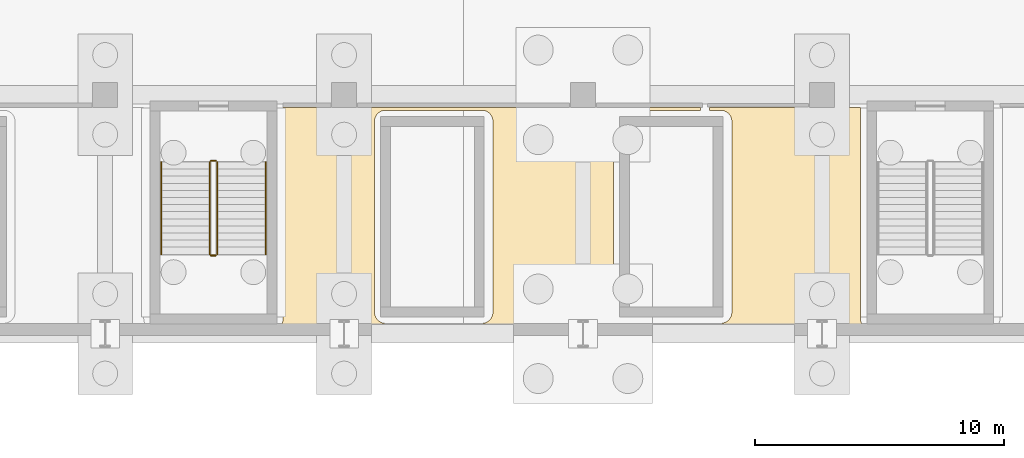
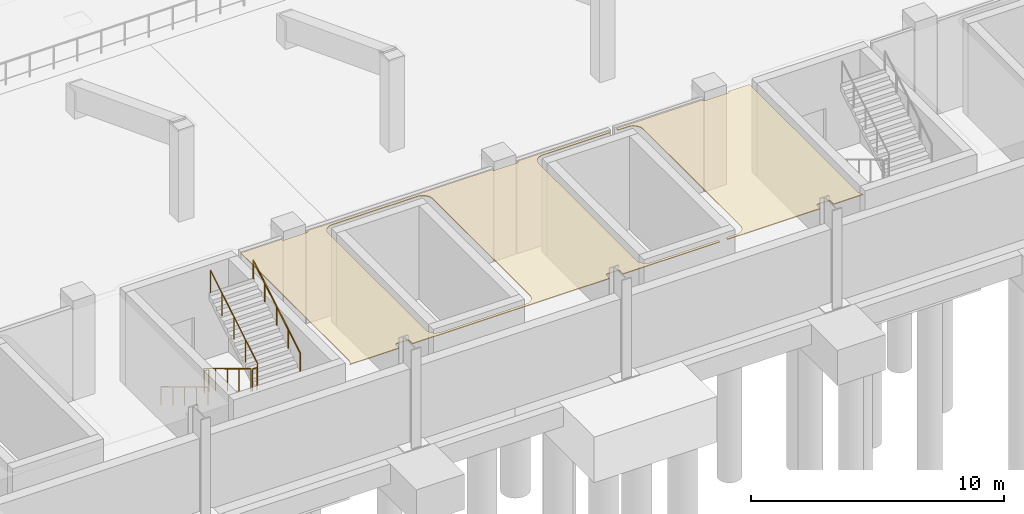
# One storey, part 44 of 67: 6 railings, 2 coverings.
"""IFC4 building model written with IfcOpenShell, lengths in metres."""

from ifc_helpers import new_model, si_unit, direction, frame, origin, origin_2d, place, context, subcontext, project, spatial, polyline, circle, outline, extrude, material, layer, layer_set, type_object, element, save


model = new_model("IFC4")

# Units and contexts
model_context = context("Model", 3, precision=1e-05, world=origin(), true_north=direction((0.0, 1.0)))
body_context = subcontext(model_context, "Body", "Model", "MODEL_VIEW")
ifc_project = project(units=[si_unit("LENGTHUNIT", "METRE"), si_unit("AREAUNIT", "SQUARE_METRE"), si_unit("VOLUMEUNIT", "CUBIC_METRE"), si_unit("PLANEANGLEUNIT", "RADIAN"), si_unit("MASSUNIT", "GRAM", prefix="KILO")], contexts=[model_context])

# Site, building, storey
site_placement = place(None, origin())
site = spatial("IfcSite", under=ifc_project, at=site_placement, CompositionType="ELEMENT")
building_placement = place(site_placement, origin())
building = spatial("IfcBuilding", under=site, at=building_placement, Name="Caelomonte Colonnade Arena", CompositionType="ELEMENT")
storey_placement = place(building_placement, frame((0.0, 0.0, -4.800048828125)))
storey = spatial("IfcBuildingStorey", under=building, at=storey_placement, Name="B1", CompositionType="ELEMENT", Elevation=-4.800048828125)

# Coverings
ifc_material_1 = material(Name="Perforated acoustic mineral-fibre ceiling")
ifc_layer = layer(ifc_material_1, 0.0400390625)
ifc_layer_set = layer_set([ifc_layer], Name="Perforated acoustic mineral-fibre ceiling")
covering_type = type_object("IfcCoveringType", Name="INT-CV-CEIL1", PredefinedType="CEILING", material=ifc_layer_set)
covering_1_placement = place(storey_placement, frame((0.0, 0.0, 4.420166015625)))
element("IfcCovering", 1, at=covering_1_placement, inside=storey, type_object=covering_type, Name="B1 Athlete Media Mix Zone acoustic ceiling", PredefinedType="CEILING", context=body_context, shape_type="SweptSolid", body=[
    extrude(outline(polyline([(105.0048828125, 28.300048828125), (103.14990234375, 28.300048828125), (103.14990234375, 19.800048828125), (103.147705078125, 19.755859375), (103.141357421875, 19.712158203125), (103.130615234375, 19.66943359375), (103.11572265625, 19.627685546875), (103.096923828125, 19.587890625), (103.07421875, 19.550048828125), (103.0478515625, 19.514404296875), (103.03466796875, 19.5), (105.29150390625, 19.5), (105.29150390625, 19.735595703125), (105.2919921875, 19.743408203125), (105.29296875, 19.751220703125), (105.294921875, 19.7587890625), (105.297607421875, 19.766357421875), (105.30078125, 19.7734375), (105.304931640625, 19.780029296875), (105.309814453125, 19.78662109375), (105.31494140625, 19.792236328125), (105.32080078125, 19.797607421875), (105.3271484375, 19.80224609375), (105.333740234375, 19.806396484375), (105.3408203125, 19.8095703125), (105.348388671875, 19.812255859375), (105.35595703125, 19.814208984375), (105.36376953125, 19.815185546875), (105.37158203125, 19.815673828125), (105.82861328125, 19.815673828125), (105.836181640625, 19.815185546875), (105.843994140625, 19.814208984375), (105.851806640625, 19.812255859375), (105.859130859375, 19.8095703125), (105.8662109375, 19.806396484375), (105.872802734375, 19.80224609375), (105.87939453125, 19.797607421875), (105.885009765625, 19.792236328125), (105.890380859375, 19.78662109375), (105.89501953125, 19.780029296875), (105.899169921875, 19.7734375), (105.90234375, 19.766357421875), (105.905029296875, 19.7587890625), (105.906982421875, 19.751220703125), (105.908203125, 19.743408203125), (105.908447265625, 19.735595703125), (105.908447265625, 19.5), (114.8916015625, 19.5), (114.8916015625, 19.735595703125), (114.891845703125, 19.743408203125), (114.89306640625, 19.751220703125), (114.89501953125, 19.7587890625), (114.897705078125, 19.766357421875), (114.90087890625, 19.7734375), (114.905029296875, 19.780029296875), (114.90966796875, 19.78662109375), (114.914794921875, 19.792236328125), (114.920654296875, 19.797607421875), (114.927001953125, 19.80224609375), (114.933837890625, 19.806396484375), (114.94091796875, 19.8095703125), (114.9482421875, 19.812255859375), (114.955810546875, 19.814208984375), (114.963623046875, 19.815185546875), (114.971435546875, 19.815673828125), (115.428466796875, 19.815673828125), (115.436279296875, 19.815185546875), (115.444091796875, 19.814208984375), (115.45166015625, 19.812255859375), (115.458984375, 19.8095703125), (115.46630859375, 19.806396484375), (115.472900390625, 19.80224609375), (115.479248046875, 19.797607421875), (115.485107421875, 19.792236328125), (115.490234375, 19.78662109375), (115.4951171875, 19.780029296875), (115.4990234375, 19.7734375), (115.50244140625, 19.766357421875), (115.505126953125, 19.7587890625), (115.507080078125, 19.751220703125), (115.508056640625, 19.743408203125), (115.508544921875, 19.735595703125), (115.508544921875, 19.5), (119.919921875, 19.5), (119.919921875, 19.6201171875), (116.8701171875, 19.6201171875), (116.825927734375, 19.622314453125), (116.7822265625, 19.628662109375), (116.739501953125, 19.639404296875), (116.69775390625, 19.654296875), (116.657958984375, 19.673095703125), (116.6201171875, 19.69580078125), (116.58447265625, 19.72216796875), (116.5517578125, 19.751708984375), (116.522216796875, 19.784423828125), (116.495849609375, 19.820068359375), (116.47314453125, 19.85791015625), (116.454345703125, 19.897705078125), (116.439453125, 19.939453125), (116.4287109375, 19.982177734375), (116.422119140625, 20.02587890625), (116.419921875, 20.070068359375), (116.419921875, 27.72998046875), (116.422119140625, 27.774169921875), (116.4287109375, 27.81787109375), (116.439453125, 27.860595703125), (116.454345703125, 27.902099609375), (116.47314453125, 27.942138671875), (116.495849609375, 27.97998046875), (116.522216796875, 28.015380859375), (116.5517578125, 28.048095703125), (116.58447265625, 28.077880859375), (116.6201171875, 28.104248046875), (116.657958984375, 28.126953125), (116.69775390625, 28.145751953125), (116.739501953125, 28.16064453125), (116.7822265625, 28.17138671875), (116.825927734375, 28.177734375), (116.8701171875, 28.179931640625), (119.919921875, 28.179931640625), (119.919921875, 28.300048828125), (115.794921875, 28.300048828125), (115.794921875, 28.284912109375), (115.794677734375, 28.277099609375), (115.79345703125, 28.269287109375), (115.79150390625, 28.26171875), (115.788818359375, 28.25439453125), (115.78564453125, 28.247314453125), (115.781494140625, 28.240478515625), (115.77685546875, 28.234130859375), (115.771484375, 28.228515625), (115.765869140625, 28.22314453125), (115.759521484375, 28.218505859375), (115.752685546875, 28.21435546875), (115.74560546875, 28.211181640625), (115.73828125, 28.20849609375), (115.730712890625, 28.20654296875), (115.722900390625, 28.205322265625), (115.715087890625, 28.205078125), (114.68505859375, 28.205078125), (114.67724609375, 28.205322265625), (114.66943359375, 28.20654296875), (114.661865234375, 28.20849609375), (114.654296875, 28.211181640625), (114.647216796875, 28.21435546875), (114.640625, 28.218505859375), (114.63427734375, 28.22314453125), (114.62841796875, 28.228515625), (114.623291015625, 28.234130859375), (114.618408203125, 28.240478515625), (114.614501953125, 28.247314453125), (114.611083984375, 28.25439453125), (114.6083984375, 28.26171875), (114.6064453125, 28.269287109375), (114.60546875, 28.277099609375), (114.60498046875, 28.284912109375), (114.60498046875, 28.300048828125), (106.195068359375, 28.300048828125), (106.195068359375, 28.284912109375), (106.194580078125, 28.277099609375), (106.193603515625, 28.269287109375), (106.191650390625, 28.26171875), (106.18896484375, 28.25439453125), (106.185546875, 28.247314453125), (106.181396484375, 28.240478515625), (106.1767578125, 28.234130859375), (106.171630859375, 28.228515625), (106.165771484375, 28.22314453125), (106.159423828125, 28.218505859375), (106.152587890625, 28.21435546875), (106.1455078125, 28.211181640625), (106.13818359375, 28.20849609375), (106.130615234375, 28.20654296875), (106.122802734375, 28.205322265625), (106.114990234375, 28.205078125), (105.0849609375, 28.205078125), (105.0771484375, 28.205322265625), (105.0693359375, 28.20654296875), (105.061767578125, 28.20849609375), (105.054443359375, 28.211181640625), (105.04736328125, 28.21435546875), (105.04052734375, 28.218505859375), (105.0341796875, 28.22314453125), (105.0283203125, 28.228515625), (105.023193359375, 28.234130859375), (105.0185546875, 28.240478515625), (105.014404296875, 28.247314453125), (105.010986328125, 28.25439453125), (105.00830078125, 28.26171875), (105.006591796875, 28.269287109375), (105.00537109375, 28.277099609375), (105.0048828125, 28.284912109375), (105.0048828125, 28.300048828125)]), holes=[polyline([(107.139404296875, 19.639404296875), (107.097900390625, 19.654296875), (107.057861328125, 19.673095703125), (107.02001953125, 19.69580078125), (106.984619140625, 19.72216796875), (106.951904296875, 19.751708984375), (106.922119140625, 19.784423828125), (106.895751953125, 19.820068359375), (106.873046875, 19.85791015625), (106.854248046875, 19.897705078125), (106.83935546875, 19.939453125), (106.82861328125, 19.982177734375), (106.822265625, 20.02587890625), (106.820068359375, 20.070068359375), (106.820068359375, 27.72998046875), (106.822265625, 27.774169921875), (106.82861328125, 27.81787109375), (106.83935546875, 27.860595703125), (106.854248046875, 27.902099609375), (106.873046875, 27.942138671875), (106.895751953125, 27.97998046875), (106.922119140625, 28.015380859375), (106.951904296875, 28.048095703125), (106.984619140625, 28.077880859375), (107.02001953125, 28.104248046875), (107.057861328125, 28.126953125), (107.097900390625, 28.145751953125), (107.139404296875, 28.16064453125), (107.18212890625, 28.17138671875), (107.225830078125, 28.177734375), (107.27001953125, 28.179931640625), (111.030029296875, 28.179931640625), (111.1298828125, 28.179931640625), (111.174072265625, 28.177734375), (111.2177734375, 28.17138671875), (111.260498046875, 28.16064453125), (111.30224609375, 28.145751953125), (111.342041015625, 28.126953125), (111.3798828125, 28.104248046875), (111.41552734375, 28.077880859375), (111.4482421875, 28.048095703125), (111.477783203125, 28.015380859375), (111.504150390625, 27.97998046875), (111.52685546875, 27.942138671875), (111.545654296875, 27.902099609375), (111.560546875, 27.860595703125), (111.5712890625, 27.81787109375), (111.577880859375, 27.774169921875), (111.580078125, 27.72998046875), (111.580078125, 20.070068359375), (111.577880859375, 20.02587890625), (111.5712890625, 19.982177734375), (111.560546875, 19.939453125), (111.545654296875, 19.897705078125), (111.52685546875, 19.85791015625), (111.504150390625, 19.820068359375), (111.477783203125, 19.784423828125), (111.4482421875, 19.751708984375), (111.41552734375, 19.72216796875), (111.3798828125, 19.69580078125), (111.342041015625, 19.673095703125), (111.30224609375, 19.654296875), (111.260498046875, 19.639404296875), (111.2177734375, 19.628662109375), (111.174072265625, 19.622314453125), (111.1298828125, 19.6201171875), (111.030029296875, 19.6201171875), (107.27001953125, 19.6201171875), (107.225830078125, 19.622314453125), (107.18212890625, 19.628662109375), (107.139404296875, 19.639404296875)])]), origin(), (0.0, 0.0, 1.0), 0.039794921875),
])
covering_2_placement = place(storey_placement, frame((0.0, 0.0, 4.420166015625)))
element("IfcCovering", 2, at=covering_2_placement, inside=storey, type_object=covering_type, Name="B1 Officials Locker Suite acoustic ceiling", PredefinedType="CEILING", context=body_context, shape_type="SweptSolid", body=[
    extrude(outline(polyline([(125.1083984375, 19.5), (126.46533203125, 19.5), (126.4521484375, 19.514404296875), (126.42578125, 19.550048828125), (126.403076171875, 19.587890625), (126.38427734375, 19.627685546875), (126.369384765625, 19.66943359375), (126.358642578125, 19.712158203125), (126.352294921875, 19.755859375), (126.35009765625, 19.800048828125), (126.35009765625, 28.300048828125), (125.39501953125, 28.300048828125), (125.39501953125, 28.284912109375), (125.39453125, 28.277099609375), (125.3935546875, 28.269287109375), (125.3916015625, 28.26171875), (125.388916015625, 28.25439453125), (125.385498046875, 28.247314453125), (125.381591796875, 28.240478515625), (125.376708984375, 28.234130859375), (125.37158203125, 28.228515625), (125.36572265625, 28.22314453125), (125.359375, 28.218505859375), (125.352783203125, 28.21435546875), (125.345703125, 28.211181640625), (125.338134765625, 28.20849609375), (125.33056640625, 28.20654296875), (125.32275390625, 28.205322265625), (125.31494140625, 28.205078125), (124.284912109375, 28.205078125), (124.277099609375, 28.205322265625), (124.269287109375, 28.20654296875), (124.26171875, 28.20849609375), (124.25439453125, 28.211181640625), (124.247314453125, 28.21435546875), (124.240478515625, 28.218505859375), (124.234130859375, 28.22314453125), (124.228515625, 28.228515625), (124.22314453125, 28.234130859375), (124.218505859375, 28.240478515625), (124.21435546875, 28.247314453125), (124.211181640625, 28.25439453125), (124.20849609375, 28.26171875), (124.20654296875, 28.269287109375), (124.205322265625, 28.277099609375), (124.205078125, 28.284912109375), (124.205078125, 28.300048828125), (120.280029296875, 28.300048828125), (120.280029296875, 28.179931640625), (120.6298828125, 28.179931640625), (120.72998046875, 28.179931640625), (120.774169921875, 28.177734375), (120.81787109375, 28.17138671875), (120.860595703125, 28.16064453125), (120.902099609375, 28.145751953125), (120.942138671875, 28.126953125), (120.97998046875, 28.104248046875), (121.015380859375, 28.077880859375), (121.048095703125, 28.048095703125), (121.077880859375, 28.015380859375), (121.104248046875, 27.97998046875), (121.126953125, 27.942138671875), (121.145751953125, 27.902099609375), (121.16064453125, 27.860595703125), (121.17138671875, 27.81787109375), (121.177734375, 27.774169921875), (121.179931640625, 27.72998046875), (121.179931640625, 20.070068359375), (121.177734375, 20.02587890625), (121.17138671875, 19.982177734375), (121.16064453125, 19.939453125), (121.145751953125, 19.897705078125), (121.126953125, 19.85791015625), (121.104248046875, 19.820068359375), (121.077880859375, 19.784423828125), (121.048095703125, 19.751708984375), (121.015380859375, 19.72216796875), (120.97998046875, 19.69580078125), (120.942138671875, 19.673095703125), (120.902099609375, 19.654296875), (120.860595703125, 19.639404296875), (120.81787109375, 19.628662109375), (120.774169921875, 19.622314453125), (120.72998046875, 19.6201171875), (120.6298828125, 19.6201171875), (120.280029296875, 19.6201171875), (120.280029296875, 19.5), (124.491455078125, 19.5), (124.491455078125, 19.735595703125), (124.491943359375, 19.743408203125), (124.492919921875, 19.751220703125), (124.494873046875, 19.7587890625), (124.49755859375, 19.766357421875), (124.5009765625, 19.7734375), (124.5048828125, 19.780029296875), (124.509765625, 19.78662109375), (124.514892578125, 19.792236328125), (124.520751953125, 19.797607421875), (124.527099609375, 19.80224609375), (124.53369140625, 19.806396484375), (124.541015625, 19.8095703125), (124.54833984375, 19.812255859375), (124.555908203125, 19.814208984375), (124.563720703125, 19.815185546875), (124.571533203125, 19.815673828125), (125.028564453125, 19.815673828125), (125.036376953125, 19.815185546875), (125.044189453125, 19.814208984375), (125.0517578125, 19.812255859375), (125.05908203125, 19.8095703125), (125.066162109375, 19.806396484375), (125.072998046875, 19.80224609375), (125.079345703125, 19.797607421875), (125.085205078125, 19.792236328125), (125.09033203125, 19.78662109375), (125.094970703125, 19.780029296875), (125.09912109375, 19.7734375), (125.102294921875, 19.766357421875), (125.10498046875, 19.7587890625), (125.10693359375, 19.751220703125), (125.108154296875, 19.743408203125), (125.1083984375, 19.735595703125), (125.1083984375, 19.5)])), origin(), (0.0, 0.0, 1.0), 0.039794921875),
])

# Railings
ifc_material_2 = material(Name="Painted galvanized steel stair guard", Category="steel")
railing_type_1 = type_object("IfcRailingType", Name="INT-RL-GRD", PredefinedType="GUARDRAIL", material=ifc_material_2)
railing_1_placement = place(storey_placement, frame((100.199951171875, 26.10009765625, 0.17138671875)))
element("IfcRailing", 3, at=railing_1_placement, inside=storey, type_object=railing_type_1, Name="B1 ST-12 stair guard 1", PredefinedType="GUARDRAIL", context=body_context, shape_type="SweptSolid", body=[
    extrude(circle(Radius=0.02392578125, at=origin_2d()), frame((0.0, 0.0, 1.076171875), z_axis=(0.0, -0.856909459561, 0.515466951525), x_axis=(1.0, 0.0, 0.0)), (0.0, 0.0, 1.0), 4.32373046875),
    extrude(circle(Radius=0.02099609375, at=origin_2d()), origin(), (0.0, 0.0, 1.0), 1.048095703125),
    extrude(circle(Radius=0.02099609375, at=origin_2d()), frame((0.0, -0.92626953125, 0.55712890625)), (0.0, 0.0, 1.0), 1.048095703125),
    extrude(circle(Radius=0.02099609375, at=origin_2d()), frame((0.0, -1.8525390625, 1.1142578125)), (0.0, 0.0, 1.0), 1.048095703125),
    extrude(circle(Radius=0.02099609375, at=origin_2d()), frame((0.0, -2.77880859375, 1.671630859375)), (0.0, 0.0, 1.0), 1.048095703125),
    extrude(circle(Radius=0.02099609375, at=origin_2d()), frame((0.0, -3.705078125, 2.228759765625)), (0.0, 0.0, 1.0), 1.048095703125),
])
railing_2_placement = place(storey_placement, frame((100.25, 22.344970703125, 2.400146484375)))
element("IfcRailing", 4, at=railing_2_placement, inside=storey, type_object=railing_type_1, Name="B1 ST-12 stair guard 2", PredefinedType="GUARDRAIL", context=body_context, shape_type="SweptSolid", body=[
    extrude(circle(Radius=0.02392578125, at=origin_2d()), frame((0.0, 0.0, 1.076171875), z_axis=(1.0, 0.0, 0.0), x_axis=(0.0, 1.0, 0.0)), (0.0, 0.0, 1.0), 0.199951171875),
    extrude(circle(Radius=0.02099609375, at=origin_2d()), origin(), (0.0, 0.0, 1.0), 1.048095703125),
    extrude(circle(Radius=0.02099609375, at=origin_2d()), frame((0.199951171875, 0.0, 0.0)), (0.0, 0.0, 1.0), 1.048095703125),
])
railing_3_placement = place(storey_placement, frame((100.5, 22.39501953125, 2.571533203125)))
element("IfcRailing", 5, at=railing_3_placement, inside=storey, type_object=railing_type_1, Name="B1 ST-12 stair guard 3", PredefinedType="GUARDRAIL", context=body_context, shape_type="SweptSolid", body=[
    extrude(circle(Radius=0.02392578125, at=origin_2d()), frame((0.0, 0.0, 1.076171875), z_axis=(0.0, 0.856934400257, 0.515425487977), x_axis=(-1.0, 0.0, 0.0)), (0.0, 0.0, 1.0), 4.32373046875),
    extrude(circle(Radius=0.02099609375, at=origin_2d()), origin(), (0.0, 0.0, 1.0), 1.048095703125),
    extrude(circle(Radius=0.02099609375, at=origin_2d()), frame((0.0, 0.92626953125, 0.55712890625)), (0.0, 0.0, 1.0), 1.048095703125),
    extrude(circle(Radius=0.02099609375, at=origin_2d()), frame((0.0, 1.8525390625, 1.1142578125)), (0.0, 0.0, 1.0), 1.048095703125),
    extrude(circle(Radius=0.02099609375, at=origin_2d()), frame((0.0, 2.77880859375, 1.67138671875)), (0.0, 0.0, 1.0), 1.048095703125),
    extrude(circle(Radius=0.02099609375, at=origin_2d()), frame((0.0, 3.705078125, 2.228515625)), (0.0, 0.0, 1.0), 1.048095703125),
])
railing_4_placement = place(storey_placement, frame((100.25, 26.14990234375, 0.0)))
element("IfcRailing", 6, at=railing_4_placement, inside=storey, type_object=railing_type_1, Name="B1 ST-12 stair guard 4", PredefinedType="GUARDRAIL", context=body_context, shape_type="SweptSolid", body=[
    extrude(circle(Radius=0.02392578125, at=origin_2d()), frame((0.0, 0.0, 1.076171875), z_axis=(1.0, 0.0, 0.0), x_axis=(0.0, 1.0, 0.0)), (0.0, 0.0, 1.0), 0.199951171875),
    extrude(circle(Radius=0.02099609375, at=origin_2d()), origin(), (0.0, 0.0, 1.0), 1.048095703125),
    extrude(circle(Radius=0.02099609375, at=origin_2d()), frame((0.199951171875, 0.0, 0.0)), (0.0, 0.0, 1.0), 1.048095703125),
])
ifc_material_3 = material(Name="Brushed stainless steel stair handrail", Category="steel")
railing_type_2 = type_object("IfcRailingType", Name="INT-RL-HR", PredefinedType="HANDRAIL", material=ifc_material_3)
railing_5_placement = place(storey_placement, frame((98.25, 26.10009765625, 0.17138671875)))
element("IfcRailing", 7, at=railing_5_placement, inside=storey, type_object=railing_type_2, Name="B1 ST-12 stair handrail 1", PredefinedType="HANDRAIL", context=body_context, shape_type="SweptSolid", body=[
    extrude(circle(Radius=0.02392578125, at=origin_2d()), frame((0.0, 0.0, 0.8759765625), z_axis=(0.0, -0.856909459561, 0.515466951525), x_axis=(1.0, 0.0, 0.0)), (0.0, 0.0, 1.0), 4.32373046875),
    extrude(circle(Radius=0.02099609375, at=origin_2d()), origin(), (0.0, 0.0, 1.0), 0.847900390625),
    extrude(circle(Radius=0.02099609375, at=origin_2d()), frame((0.0, -0.92626953125, 0.55712890625)), (0.0, 0.0, 1.0), 0.847900390625),
    extrude(circle(Radius=0.02099609375, at=origin_2d()), frame((0.0, -1.8525390625, 1.1142578125)), (0.0, 0.0, 1.0), 0.847900390625),
    extrude(circle(Radius=0.02099609375, at=origin_2d()), frame((0.0, -2.77880859375, 1.671630859375)), (0.0, 0.0, 1.0), 0.847900390625),
    extrude(circle(Radius=0.02099609375, at=origin_2d()), frame((0.0, -3.705078125, 2.228759765625)), (0.0, 0.0, 1.0), 0.847900390625),
])
railing_6_placement = place(storey_placement, frame((102.449951171875, 22.39501953125, 2.571533203125)))
element("IfcRailing", 8, at=railing_6_placement, inside=storey, type_object=railing_type_2, Name="B1 ST-12 stair handrail 2", PredefinedType="HANDRAIL", context=body_context, shape_type="SweptSolid", body=[
    extrude(circle(Radius=0.02392578125, at=origin_2d()), frame((0.0, 0.0, 0.8759765625), z_axis=(0.0, 0.856934400257, 0.515425487977), x_axis=(-1.0, 0.0, 0.0)), (0.0, 0.0, 1.0), 4.32373046875),
    extrude(circle(Radius=0.02099609375, at=origin_2d()), origin(), (0.0, 0.0, 1.0), 0.847900390625),
    extrude(circle(Radius=0.02099609375, at=origin_2d()), frame((0.0, 0.92626953125, 0.55712890625)), (0.0, 0.0, 1.0), 0.847900390625),
    extrude(circle(Radius=0.02099609375, at=origin_2d()), frame((0.0, 1.8525390625, 1.1142578125)), (0.0, 0.0, 1.0), 0.847900390625),
    extrude(circle(Radius=0.02099609375, at=origin_2d()), frame((0.0, 2.77880859375, 1.67138671875)), (0.0, 0.0, 1.0), 0.847900390625),
    extrude(circle(Radius=0.02099609375, at=origin_2d()), frame((0.0, 3.705078125, 2.228515625)), (0.0, 0.0, 1.0), 0.847900390625),
])

save(model, "model.ifc")
